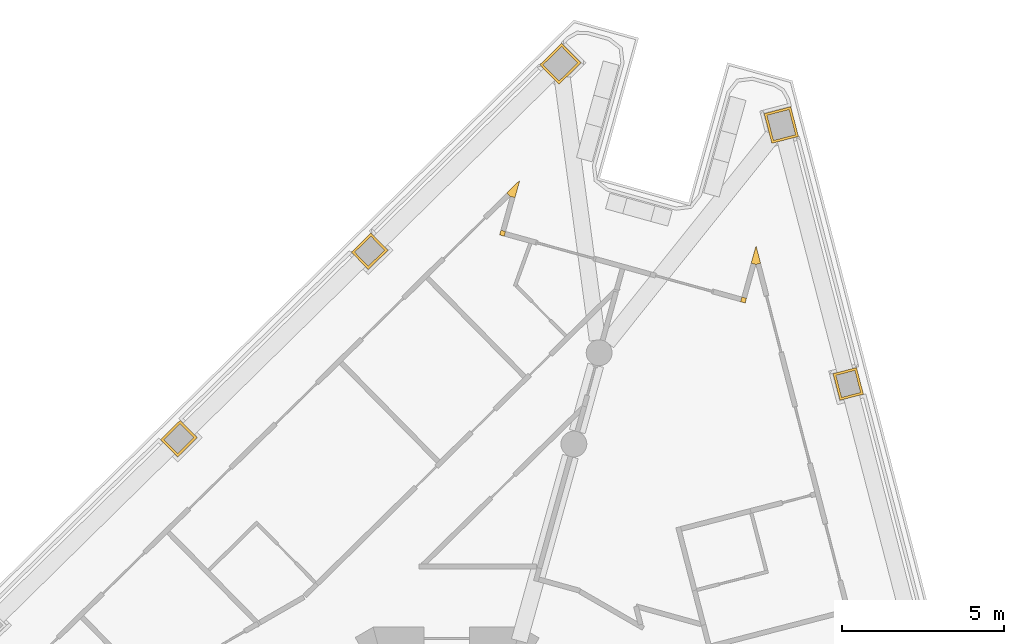
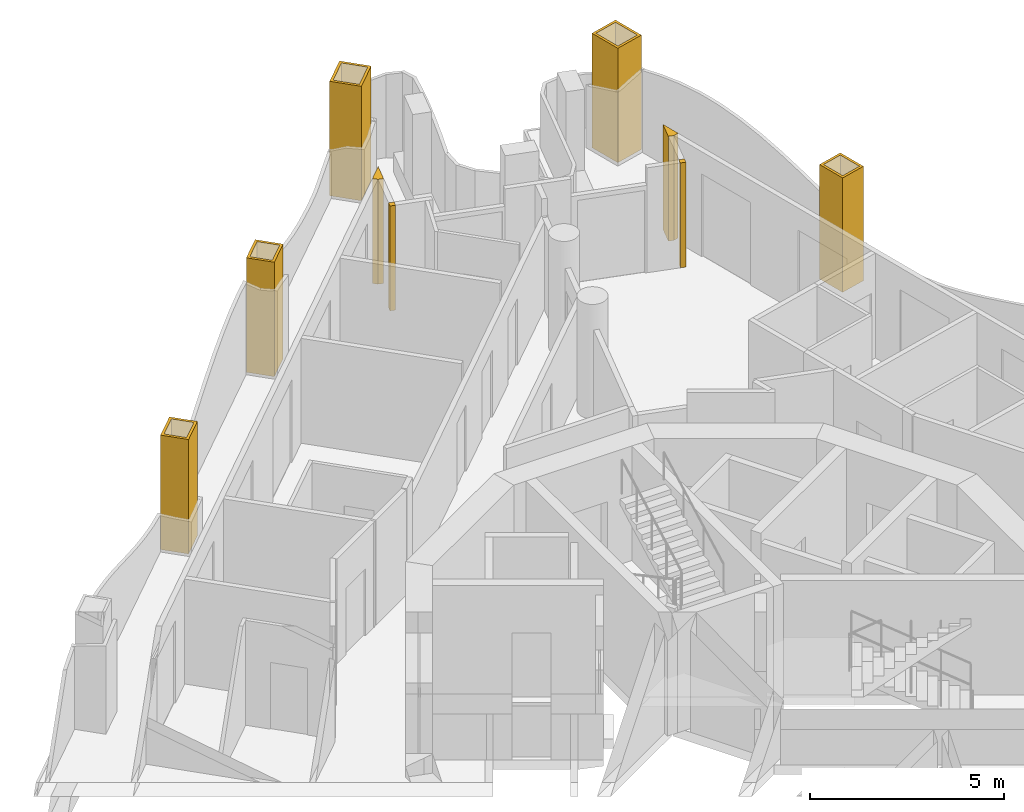
# One storey, part 13 of 14: 9 coverings.
"""IFC4 building model written with IfcOpenShell, lengths in metres."""

from ifc_helpers import new_model, si_unit, direction, frame, origin, place, context, subcontext, project, spatial, polyline, outline, extrude, material, layer, layer_set, type_object, element, save


model = new_model("IFC4")

# Units and contexts
model_context = context("Model", 3, precision=1e-05, world=origin(), true_north=direction((0.0, 1.0)))
body_context = subcontext(model_context, "Body", "Model", "MODEL_VIEW")
ifc_project = project(units=[si_unit("LENGTHUNIT", "METRE"), si_unit("AREAUNIT", "SQUARE_METRE"), si_unit("VOLUMEUNIT", "CUBIC_METRE"), si_unit("PLANEANGLEUNIT", "RADIAN"), si_unit("MASSUNIT", "GRAM", prefix="KILO")], contexts=[model_context])

# Site, building, storey
site_placement = place(None, origin())
site = spatial("IfcSite", under=ifc_project, at=site_placement, CompositionType="ELEMENT")
building_placement = place(site_placement, origin())
building = spatial("IfcBuilding", under=site, at=building_placement, Name="Trine Commons Tower", CompositionType="ELEMENT")
storey_placement = place(building_placement, frame((0.0, 0.0, 245.699951171875)))
storey = spatial("IfcBuildingStorey", under=building, at=storey_placement, Name="L64", CompositionType="ELEMENT", Elevation=245.699951171875)

# Coverings
ifc_material_1 = material(Name="Aluminium-framed insulated wall panel", Category="aluminium")
ifc_layer_1 = layer(ifc_material_1, 0.14990234375)
ifc_layer_set_1 = layer_set([ifc_layer_1], Name="Aluminium-framed insulated wall panel")
covering_type_1 = type_object("IfcCoveringType", Name="Glazing corner post, aluminium", PredefinedType="CLADDING", material=ifc_layer_set_1)
covering_1_placement = place(storey_placement, origin())
element("IfcCovering", 1, at=covering_1_placement, inside=storey, type_object=covering_type_1, Name="Glazing corner post 7-02", PredefinedType="CLADDING", context=body_context, shape_type="SweptSolid", body=[
    extrude(outline(polyline([(82.107177734375, 84.280029296875), (82.256591796875, 84.819580078125), (81.857421875, 84.42724609375), (81.962646484375, 84.3203125), (82.107177734375, 84.280029296875)])), origin(), (0.0, 0.0, 1.0), 3.300048828125),
])
covering_2_placement = place(storey_placement, origin())
element("IfcCovering", 2, at=covering_2_placement, inside=storey, type_object=covering_type_1, Name="Glazing corner post 7-03", PredefinedType="CLADDING", context=body_context, shape_type="SweptSolid", body=[
    extrude(outline(polyline([(81.77685546875, 83.08935546875), (81.81689453125, 83.23388671875), (81.67236328125, 83.27392578125), (81.63232421875, 83.12939453125), (81.77685546875, 83.08935546875)])), origin(), (0.0, 0.0, 1.0), 3.300048828125),
])
covering_3_placement = place(storey_placement, origin())
element("IfcCovering", 3, at=covering_3_placement, inside=storey, type_object=covering_type_1, Name="Glazing corner post 7-04", PredefinedType="CLADDING", context=body_context, shape_type="SweptSolid", body=[
    extrude(outline(polyline([(89.081298828125, 81.063720703125), (89.225830078125, 81.023681640625), (89.265869140625, 81.168212890625), (89.121337890625, 81.208251953125), (89.081298828125, 81.063720703125)])), origin(), (0.0, 0.0, 1.0), 3.300048828125),
])
covering_4_placement = place(storey_placement, origin())
element("IfcCovering", 4, at=covering_4_placement, inside=storey, type_object=covering_type_1, Name="Glazing corner post 7-05", PredefinedType="CLADDING", context=body_context, shape_type="SweptSolid", body=[
    extrude(outline(polyline([(89.411376953125, 82.25439453125), (89.555908203125, 82.21435546875), (89.701171875, 82.251953125), (89.56103515625, 82.7939453125), (89.411376953125, 82.25439453125)])), origin(), (0.0, 0.0, 1.0), 3.300048828125),
])
ifc_material_2 = material(Name="Limestone, honed", Category="masonry")
ifc_layer_2 = layer(ifc_material_2, 0.074951171875)
ifc_layer_set_2 = layer_set([ifc_layer_2], Name="Limestone, honed")
covering_type_2 = type_object("IfcCoveringType", Name="Limestone column cladding 75", PredefinedType="CLADDING", material=ifc_layer_set_2)
covering_5_placement = place(storey_placement, origin())
element("IfcCovering", 5, at=covering_5_placement, inside=storey, type_object=covering_type_2, Name="Limestone pier cladding 7-10", PredefinedType="CLADDING", context=body_context, shape_type="SweptSolid", body=[
    extrude(outline(polyline([(72.281005859375, 76.860107421875), (71.755126953125, 77.39501953125), (71.14892578125, 76.79931640625), (71.674560546875, 76.26416015625), (72.281005859375, 76.860107421875)]), holes=[polyline([(72.1748046875, 76.86083984375), (71.75439453125, 77.288818359375), (71.2548828125, 76.79833984375), (71.675537109375, 76.370361328125), (72.1748046875, 76.86083984375)])]), origin(), (0.0, 0.0, 1.0), 3.60009765625),
])
covering_6_placement = place(storey_placement, origin())
element("IfcCovering", 6, at=covering_6_placement, inside=storey, type_object=covering_type_2, Name="Limestone pier cladding 7-11", PredefinedType="CLADDING", context=body_context, shape_type="SweptSolid", body=[
    extrude(outline(polyline([(78.178466796875, 82.655517578125), (77.65283203125, 83.190673828125), (77.04638671875, 82.5947265625), (77.572265625, 82.059814453125), (78.178466796875, 82.655517578125)]), holes=[polyline([(78.072509765625, 82.656494140625), (77.65185546875, 83.08447265625), (77.152587890625, 82.593994140625), (77.572998046875, 82.166015625), (78.072509765625, 82.656494140625)])]), origin(), (0.0, 0.0, 1.0), 3.60009765625),
])
covering_7_placement = place(storey_placement, origin())
element("IfcCovering", 7, at=covering_7_placement, inside=storey, type_object=covering_type_2, Name="Limestone pier cladding 7-12", PredefinedType="CLADDING", context=body_context, shape_type="SweptSolid", body=[
    extrude(outline(polyline([(84.14697265625, 88.45068359375), (83.551025390625, 89.056884765625), (82.87353515625, 88.39111328125), (83.46923828125, 87.78466796875), (84.14697265625, 88.45068359375)]), holes=[polyline([(84.040771484375, 88.451416015625), (83.55029296875, 88.95068359375), (82.9794921875, 88.39013671875), (83.47021484375, 87.890869140625), (84.040771484375, 88.451416015625)])]), origin(), (0.0, 0.0, 1.0), 3.60009765625),
])
covering_8_placement = place(storey_placement, origin())
element("IfcCovering", 8, at=covering_8_placement, inside=storey, type_object=covering_type_2, Name="Limestone pier cladding 7-13", PredefinedType="CLADDING", context=body_context, shape_type="SweptSolid", body=[
    extrude(outline(polyline([(90.6337890625, 87.0927734375), (89.81103515625, 86.8798828125), (90.048828125, 85.960205078125), (90.871826171875, 86.1728515625), (90.6337890625, 87.0927734375)]), holes=[polyline([(90.580078125, 87.001220703125), (89.90234375, 86.825927734375), (90.102783203125, 86.051513671875), (90.780517578125, 86.226806640625), (90.580078125, 87.001220703125)])]), origin(), (0.0, 0.0, 1.0), 3.60009765625),
])
covering_9_placement = place(storey_placement, origin())
element("IfcCovering", 9, at=covering_9_placement, inside=storey, type_object=covering_type_2, Name="Limestone pier cladding 7-14", PredefinedType="CLADDING", context=body_context, shape_type="SweptSolid", body=[
    extrude(outline(polyline([(92.668212890625, 79.0263671875), (91.942138671875, 78.838623046875), (92.155029296875, 78.015625), (92.881103515625, 78.203369140625), (92.668212890625, 79.0263671875)]), holes=[polyline([(92.614501953125, 78.93505859375), (92.03369140625, 78.78466796875), (92.208984375, 78.10693359375), (92.789794921875, 78.25732421875), (92.614501953125, 78.93505859375)])]), origin(), (0.0, 0.0, 1.0), 3.60009765625),
])

save(model, "model.ifc")
